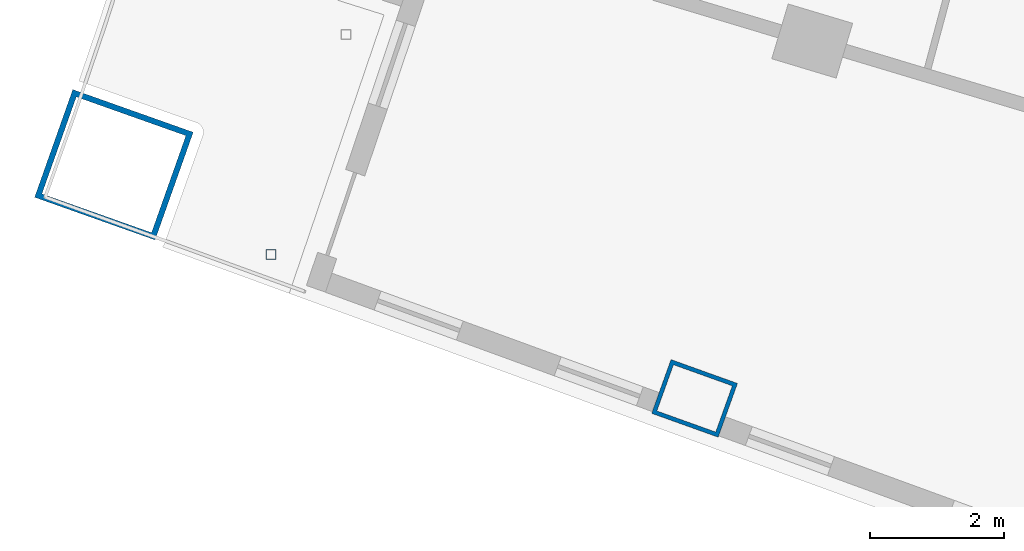
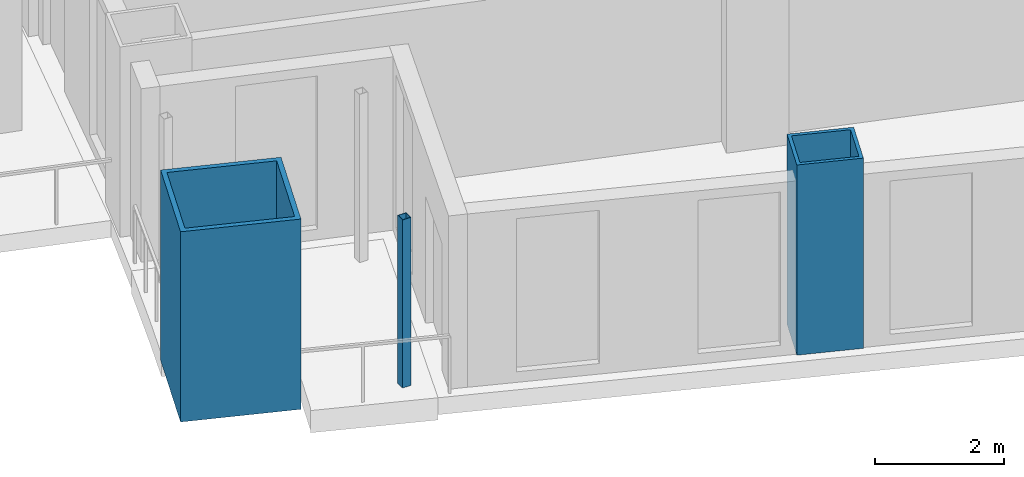
# One storey, part 1 of 25: 3 columns.
"""IFC4 building model written with IfcOpenShell, lengths in metres."""

from ifc_helpers import new_model, si_unit, direction, frame, origin, origin_2d, place, context, subcontext, project, spatial, hollow_rectangle, extrude, material, material_profile, profile_set, type_object, element, save


model = new_model("IFC4")

# Units and contexts
model_context = context("Model", 3, precision=1e-05, world=origin(), true_north=direction((0.0, 1.0)))
body_context = subcontext(model_context, "Body", "Model", "MODEL_VIEW")
ifc_project = project(units=[si_unit("LENGTHUNIT", "METRE"), si_unit("AREAUNIT", "SQUARE_METRE"), si_unit("VOLUMEUNIT", "CUBIC_METRE"), si_unit("PLANEANGLEUNIT", "RADIAN"), si_unit("MASSUNIT", "GRAM", prefix="KILO")], contexts=[model_context])

# Site, building, storey
site_placement = place(None, origin())
site = spatial("IfcSite", under=ifc_project, at=site_placement, CompositionType="ELEMENT")
building_placement = place(site_placement, origin())
building = spatial("IfcBuilding", under=site, at=building_placement, Name="Alderwake Tower", CompositionType="ELEMENT")
storey_placement = place(building_placement, frame((0.0, 0.0, 107.60009765625)))
storey = spatial("IfcBuildingStorey", under=building, at=storey_placement, Name="L26", CompositionType="ELEMENT", Elevation=107.60009765625)

# Columns
ifc_material_1 = material(Name="Steel ASTM A572 Grade 50 concrete filled C70/85", Category="concrete")
ifc_material_profile_1 = material_profile(ifc_material_1, hollow_rectangle(XDim=0.85009765625, YDim=1.050048828125, WallThickness=0.06005859375, at=origin_2d()), Name="BOX 1050X850X60")
ifc_profile_set_1 = profile_set([ifc_material_profile_1], Name="Steel ASTM A572 Grade 50 concrete filled C70/85")
column_type_1 = type_object("IfcColumnType", Name="End column Z2", PredefinedType="COLUMN", material=ifc_profile_set_1)
column_1_placement = place(storey_placement, frame((19.965576171875, 25.1484375, 0.0), z_axis=(0.0, 0.0, 1.0), x_axis=(0.337584879279, 0.9412950915, 0.0)))
element("IfcColumn", 1, at=column_1_placement, inside=storey, type_object=column_type_1, Name="Column R01-C1", PredefinedType="COLUMN", context=body_context, shape_type="SweptSolid", body=[
    extrude(hollow_rectangle(XDim=0.85009765625, YDim=1.050048828125, WallThickness=0.06005859375, at=origin_2d()), origin(), (0.0, 0.0, 1.0), 3.599853515625),
])
ifc_material_2 = material(Name="Steel ASTM A500 Grade C", Category="steel")
ifc_material_profile_2 = material_profile(ifc_material_2, hollow_rectangle(XDim=0.15234375, YDim=0.15234375, WallThickness=0.0087890625, at=origin_2d()), Name="HSS6X6X3/8")
ifc_profile_set_2 = profile_set([ifc_material_profile_2], Name="Steel ASTM A500 Grade C")
column_type_2 = type_object("IfcColumnType", Name="Light post HSS6X6X3/8", PredefinedType="COLUMN", material=ifc_profile_set_2)
column_2_placement = place(storey_placement, frame((13.66796875, 27.28759765625, 0.0), z_axis=(0.0, 0.0, 1.0), x_axis=(1.0, 0.0, 0.0)))
element("IfcColumn", 2, at=column_2_placement, inside=storey, type_object=column_type_2, Name="Terrace post RS2", PredefinedType="COLUMN", context=body_context, shape_type="SweptSolid", body=[
    extrude(hollow_rectangle(XDim=0.15234375, YDim=0.15234375, WallThickness=0.0087890625, at=origin_2d()), origin(), (0.0, 0.0, 1.0), 3.179931640625),
])
ifc_material_3 = material(Name="Steel ASTM A572 Grade 50 concrete filled C70/85", Category="concrete")
ifc_material_profile_3 = material_profile(ifc_material_3, hollow_rectangle(XDim=1.699951171875, YDim=1.89990234375, WallThickness=0.0849609375, at=origin_2d()), Name="BOX 1900X1700X85")
ifc_profile_set_3 = profile_set([ifc_material_profile_3], Name="Steel ASTM A572 Grade 50 concrete filled C70/85")
column_type_3 = type_object("IfcColumnType", Name="Mega column Z2", PredefinedType="COLUMN", material=ifc_profile_set_3)
column_3_placement = place(storey_placement, frame((11.330810546875, 28.622802734375, 0.0), z_axis=(0.0, 0.0, 1.0), x_axis=(0.334130947791, 0.942526662609, 0.0)))
element("IfcColumn", 3, at=column_3_placement, inside=storey, type_object=column_type_3, Name="Column R01-C0", PredefinedType="COLUMN", context=body_context, shape_type="SweptSolid", body=[
    extrude(hollow_rectangle(XDim=1.699951171875, YDim=1.89990234375, WallThickness=0.0849609375, at=origin_2d()), origin(), (0.0, 0.0, 1.0), 3.599853515625),
])

save(model, "model.ifc")
